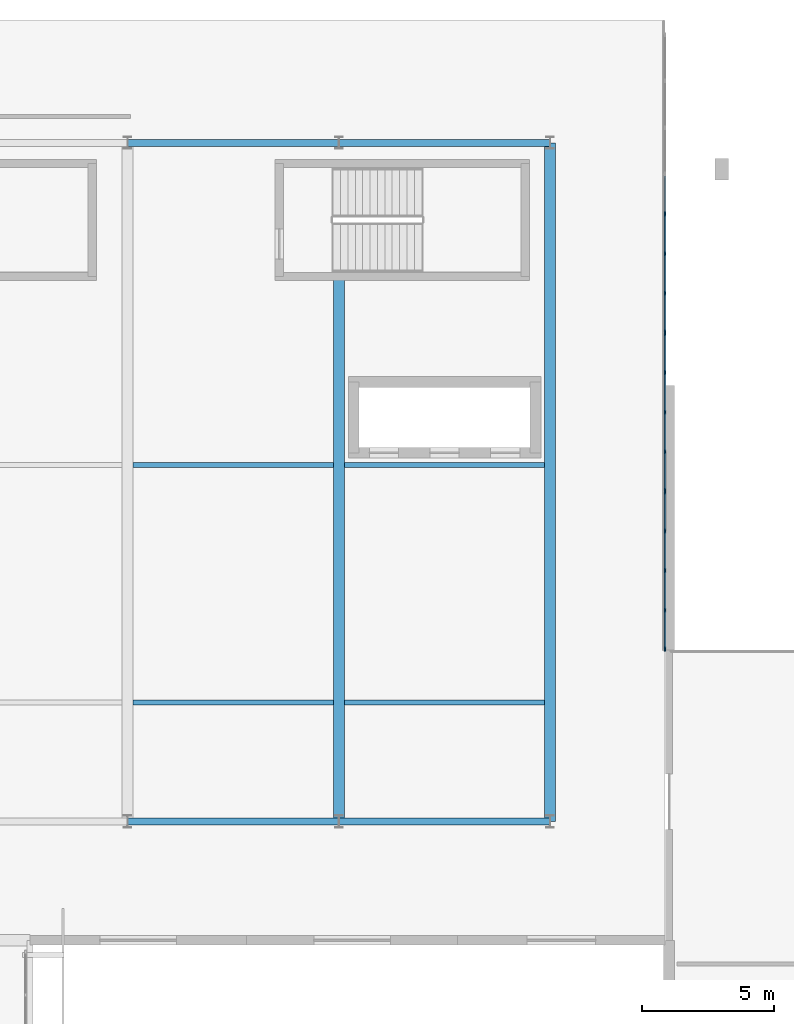
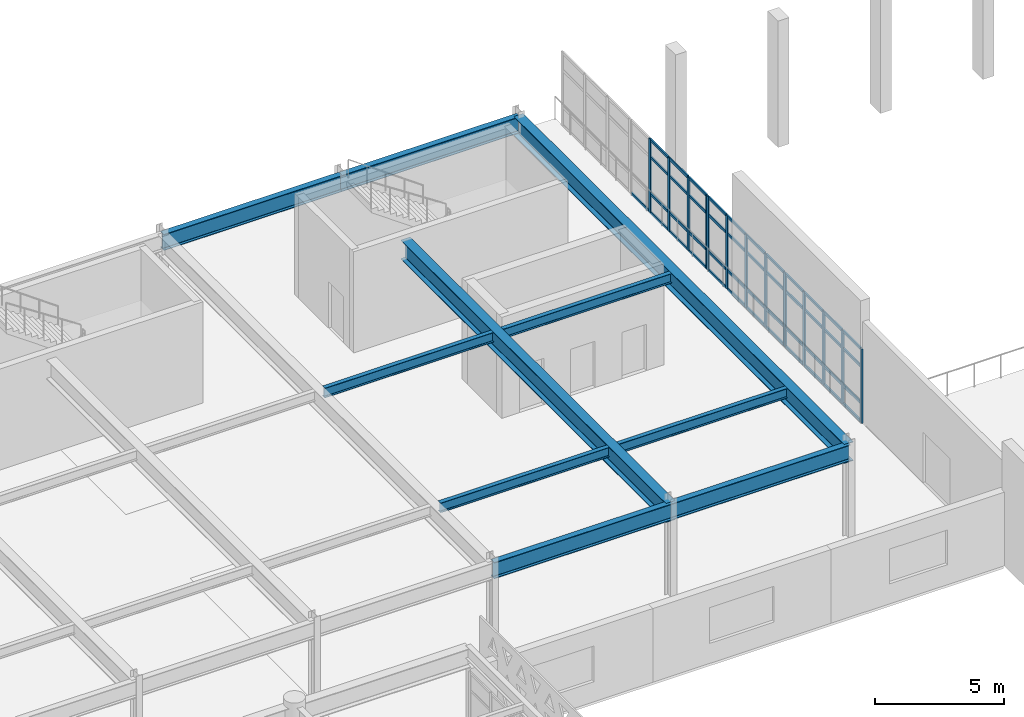
# One storey, part 25 of 54: 59 members, 10 beams, 3 elements without a shape of their own.
"""IFC4 building model written with IfcOpenShell, lengths in metres."""

from ifc_helpers import new_model, si_unit, direction, frame, origin, origin_2d, place, context, subcontext, project, spatial, rectangle, i_section, extrude, material, layer, layer_set, material_profile, profile_set, type_object, element, aggregate, save


model = new_model("IFC4")

# Units and contexts
model_context = context("Model", 3, precision=1e-05, world=origin(), true_north=direction((0.0, 1.0)))
body_context = subcontext(model_context, "Body", "Model", "MODEL_VIEW")
ifc_project = project(units=[si_unit("LENGTHUNIT", "METRE"), si_unit("AREAUNIT", "SQUARE_METRE"), si_unit("VOLUMEUNIT", "CUBIC_METRE"), si_unit("PLANEANGLEUNIT", "RADIAN"), si_unit("MASSUNIT", "GRAM", prefix="KILO")], contexts=[model_context])

# Site, building, storey
site_placement = place(None, origin())
site = spatial("IfcSite", under=ifc_project, at=site_placement, CompositionType="ELEMENT")
building_placement = place(site_placement, origin())
building = spatial("IfcBuilding", under=site, at=building_placement, Name="Tlacozan Convention Centre", CompositionType="ELEMENT")
storey_placement = place(building_placement, frame((0.0, 0.0, 11.39990234375)))
storey = spatial("IfcBuildingStorey", under=building, at=storey_placement, Name="L02", CompositionType="ELEMENT", Elevation=11.39990234375)

# Beams
ifc_material_1 = material(Name="Steel ASTM A992 Grade 50", Category="steel")
ifc_material_profile_1 = material_profile(ifc_material_1, i_section(OverallWidth=0.41796875, OverallDepth=0.912109375, WebThickness=0.019287109375, FlangeThickness=0.031982421875, FilletRadius=0.02001953125, at=origin_2d()), Name="IR 914x342.0")
ifc_profile_set_1 = profile_set([ifc_material_profile_1], Name="Steel ASTM A992 Grade 50")
beam_type_1 = type_object("IfcBeamType", Name="Ballroom Span Girder IR 914x342", PredefinedType="BEAM", material=ifc_profile_set_1)
beam_1_placement = place(storey_placement, frame((131.5, 31.5, 4.044189453125), z_axis=(0.0, 1.0, 0.0), x_axis=(-1.0, 0.0, 0.0)))
element("IfcBeam", 1, at=beam_1_placement, inside=storey, type_object=beam_type_1, Name="L02 Ballroom Span Girder IR 914x342 1475", PredefinedType="BEAM", context=body_context, shape_type="SweptSolid", body=[
    extrude(i_section(OverallWidth=0.41796875, OverallDepth=0.912109375, WebThickness=0.019287109375, FlangeThickness=0.031982421875, FilletRadius=0.02001953125, at=origin_2d()), origin(), (0.0, 0.0, 1.0), 20.639892578125),
])
beam_2_placement = place(storey_placement, frame((139.5, 31.5, 4.044189453125), z_axis=(0.0, 1.0, 0.0), x_axis=(-1.0, 0.0, 0.0)))
element("IfcBeam", 2, at=beam_2_placement, inside=storey, type_object=beam_type_1, Name="L02 Ballroom Span Girder IR 914x342 1476", PredefinedType="BEAM", context=body_context, shape_type="SweptSolid", body=[
    extrude(i_section(OverallWidth=0.41796875, OverallDepth=0.912109375, WebThickness=0.019287109375, FlangeThickness=0.031982421875, FilletRadius=0.02001953125, at=origin_2d()), origin(), (0.0, 0.0, 1.0), 25.699951171875),
])

# Curtain wall, members
ifc_material_2 = material(Name="Dark Bronze Anodised Aluminium", Category="aluminium")
ifc_layer = layer(ifc_material_2, 0.199951171875)
ifc_layer_set = layer_set([ifc_layer], Name="Dark Bronze Anodised Aluminium")
curtain_wall_type = type_object("IfcCurtainWallType", Name="Unitised Dining Cloister L02 CW09", PredefinedType="NOTDEFINED", material=ifc_layer_set)
curtain_wall_1_placement = place(storey_placement, origin())
curtain_wall_1 = element("IfcCurtainWall", 3, at=curtain_wall_1_placement, inside=storey, type_object=curtain_wall_type, Name="L02 CW-09 Run 168", PredefinedType="NOTDEFINED")
ifc_material_profile_2 = material_profile(ifc_material_2, rectangle(XDim=0.06494140625, YDim=0.159912109375, at=origin_2d()), Name="ALU 65x160")
ifc_profile_set_2 = profile_set([ifc_material_profile_2], Name="Dark Bronze Anodised Aluminium")
member_type_1 = type_object("IfcMemberType", Name="Curtain Wall Mullion 65x160", PredefinedType="MULLION", material=ifc_profile_set_2)
member_1_placement = place(storey_placement, frame((143.85009765625, 38.032470703125, 0.0), z_axis=(0.0, 0.0, 1.0), x_axis=(-1.0, 0.0, 0.0)))
member_1 = element("IfcMember", 4, at=member_1_placement, type_object=member_type_1, Name="CW-09 mullion 1", PredefinedType="MULLION", context=body_context, shape_type="SweptSolid", body=[
    extrude(rectangle(XDim=0.06494140625, YDim=0.159912109375, at=origin_2d()), origin(), (0.0, 0.0, 1.0), 3.5),
])
member_2_placement = place(storey_placement, frame((143.85009765625, 39.5, 0.0), z_axis=(0.0, 0.0, 1.0), x_axis=(-1.0, 0.0, 0.0)))
member_2 = element("IfcMember", 5, at=member_2_placement, type_object=member_type_1, Name="CW-09 mullion 2", PredefinedType="MULLION", context=body_context, shape_type="SweptSolid", body=[
    extrude(rectangle(XDim=0.06494140625, YDim=0.159912109375, at=origin_2d()), origin(), (0.0, 0.0, 1.0), 3.5),
])
member_3_placement = place(storey_placement, frame((143.85009765625, 41.0, 0.0), z_axis=(0.0, 0.0, 1.0), x_axis=(-1.0, 0.0, 0.0)))
member_3 = element("IfcMember", 6, at=member_3_placement, type_object=member_type_1, Name="CW-09 mullion 3", PredefinedType="MULLION", context=body_context, shape_type="SweptSolid", body=[
    extrude(rectangle(XDim=0.06494140625, YDim=0.159912109375, at=origin_2d()), origin(), (0.0, 0.0, 1.0), 3.5),
])
member_4_placement = place(storey_placement, frame((143.85009765625, 42.5, 0.0), z_axis=(0.0, 0.0, 1.0), x_axis=(-1.0, 0.0, 0.0)))
member_4 = element("IfcMember", 7, at=member_4_placement, type_object=member_type_1, Name="CW-09 mullion 4", PredefinedType="MULLION", context=body_context, shape_type="SweptSolid", body=[
    extrude(rectangle(XDim=0.06494140625, YDim=0.159912109375, at=origin_2d()), origin(), (0.0, 0.0, 1.0), 3.5),
])
member_5_placement = place(storey_placement, frame((143.85009765625, 43.967529296875, 0.0), z_axis=(0.0, 0.0, 1.0), x_axis=(-1.0, 0.0, 0.0)))
member_5 = element("IfcMember", 8, at=member_5_placement, type_object=member_type_1, Name="CW-09 mullion 5", PredefinedType="MULLION", context=body_context, shape_type="SweptSolid", body=[
    extrude(rectangle(XDim=0.06494140625, YDim=0.159912109375, at=origin_2d()), origin(), (0.0, 0.0, 1.0), 3.5),
])

curtain_wall_2_placement = place(storey_placement, origin())
curtain_wall_2 = element("IfcCurtainWall", 9, at=curtain_wall_2_placement, inside=storey, type_object=curtain_wall_type, Name="L02 CW-09 Run 169", PredefinedType="NOTDEFINED")
member_6_placement = place(storey_placement, frame((143.85009765625, 44.032470703125, 0.0), z_axis=(0.0, 0.0, 1.0), x_axis=(-1.0, 0.0, 0.0)))
member_6 = element("IfcMember", 10, at=member_6_placement, type_object=member_type_1, Name="CW-09 mullion 1", PredefinedType="MULLION", context=body_context, shape_type="SweptSolid", body=[
    extrude(rectangle(XDim=0.06494140625, YDim=0.159912109375, at=origin_2d()), origin(), (0.0, 0.0, 1.0), 3.5),
])
member_7_placement = place(storey_placement, frame((143.85009765625, 45.5, 0.0), z_axis=(0.0, 0.0, 1.0), x_axis=(-1.0, 0.0, 0.0)))
member_7 = element("IfcMember", 11, at=member_7_placement, type_object=member_type_1, Name="CW-09 mullion 2", PredefinedType="MULLION", context=body_context, shape_type="SweptSolid", body=[
    extrude(rectangle(XDim=0.06494140625, YDim=0.159912109375, at=origin_2d()), origin(), (0.0, 0.0, 1.0), 3.5),
])
member_8_placement = place(storey_placement, frame((143.85009765625, 47.0, 0.0), z_axis=(0.0, 0.0, 1.0), x_axis=(-1.0, 0.0, 0.0)))
member_8 = element("IfcMember", 12, at=member_8_placement, type_object=member_type_1, Name="CW-09 mullion 3", PredefinedType="MULLION", context=body_context, shape_type="SweptSolid", body=[
    extrude(rectangle(XDim=0.06494140625, YDim=0.159912109375, at=origin_2d()), origin(), (0.0, 0.0, 1.0), 3.5),
])
member_9_placement = place(storey_placement, frame((143.85009765625, 48.5, 0.0), z_axis=(0.0, 0.0, 1.0), x_axis=(-1.0, 0.0, 0.0)))
member_9 = element("IfcMember", 13, at=member_9_placement, type_object=member_type_1, Name="CW-09 mullion 4", PredefinedType="MULLION", context=body_context, shape_type="SweptSolid", body=[
    extrude(rectangle(XDim=0.06494140625, YDim=0.159912109375, at=origin_2d()), origin(), (0.0, 0.0, 1.0), 3.5),
])
member_10_placement = place(storey_placement, frame((143.85009765625, 49.967529296875, 0.0), z_axis=(0.0, 0.0, 1.0), x_axis=(-1.0, 0.0, 0.0)))
member_10 = element("IfcMember", 14, at=member_10_placement, type_object=member_type_1, Name="CW-09 mullion 5", PredefinedType="MULLION", context=body_context, shape_type="SweptSolid", body=[
    extrude(rectangle(XDim=0.06494140625, YDim=0.159912109375, at=origin_2d()), origin(), (0.0, 0.0, 1.0), 3.5),
])

curtain_wall_3_placement = place(storey_placement, origin())
curtain_wall_3 = element("IfcCurtainWall", 15, at=curtain_wall_3_placement, inside=storey, type_object=curtain_wall_type, Name="L02 CW-09 Run 170", PredefinedType="NOTDEFINED")
member_11_placement = place(storey_placement, frame((143.85009765625, 50.032470703125, 0.0), z_axis=(0.0, 0.0, 1.0), x_axis=(-1.0, 0.0, 0.0)))
member_11 = element("IfcMember", 16, at=member_11_placement, type_object=member_type_1, Name="CW-09 mullion 1", PredefinedType="MULLION", context=body_context, shape_type="SweptSolid", body=[
    extrude(rectangle(XDim=0.06494140625, YDim=0.159912109375, at=origin_2d()), origin(), (0.0, 0.0, 1.0), 3.5),
])
member_12_placement = place(storey_placement, frame((143.85009765625, 51.5, 0.0), z_axis=(0.0, 0.0, 1.0), x_axis=(-1.0, 0.0, 0.0)))
member_12 = element("IfcMember", 17, at=member_12_placement, type_object=member_type_1, Name="CW-09 mullion 2", PredefinedType="MULLION", context=body_context, shape_type="SweptSolid", body=[
    extrude(rectangle(XDim=0.06494140625, YDim=0.159912109375, at=origin_2d()), origin(), (0.0, 0.0, 1.0), 3.5),
])
member_13_placement = place(storey_placement, frame((143.85009765625, 53.0, 0.0), z_axis=(0.0, 0.0, 1.0), x_axis=(-1.0, 0.0, 0.0)))
member_13 = element("IfcMember", 18, at=member_13_placement, type_object=member_type_1, Name="CW-09 mullion 3", PredefinedType="MULLION", context=body_context, shape_type="SweptSolid", body=[
    extrude(rectangle(XDim=0.06494140625, YDim=0.159912109375, at=origin_2d()), origin(), (0.0, 0.0, 1.0), 3.5),
])
member_14_placement = place(storey_placement, frame((143.85009765625, 54.5, 0.0), z_axis=(0.0, 0.0, 1.0), x_axis=(-1.0, 0.0, 0.0)))
member_14 = element("IfcMember", 19, at=member_14_placement, type_object=member_type_1, Name="CW-09 mullion 4", PredefinedType="MULLION", context=body_context, shape_type="SweptSolid", body=[
    extrude(rectangle(XDim=0.06494140625, YDim=0.159912109375, at=origin_2d()), origin(), (0.0, 0.0, 1.0), 3.5),
])

# Member
ifc_material_profile_3 = material_profile(ifc_material_2, rectangle(XDim=0.06494140625, YDim=0.125, at=origin_2d()), Name="ALU 65x125")
ifc_profile_set_3 = profile_set([ifc_material_profile_3], Name="Dark Bronze Anodised Aluminium")
member_type_2 = type_object("IfcMemberType", Name="Curtain Wall Transom 65x125", PredefinedType="USERDEFINED", material=ifc_profile_set_3)
member_15_placement = place(storey_placement, frame((143.85009765625, 38.06494140625, 0.03271484375), z_axis=(0.0, 1.0, 0.0), x_axis=(-1.0, 0.0, 0.0)))
member_15 = element("IfcMember", 20, at=member_15_placement, type_object=member_type_2, Name="CW-09 transom 1.1", ObjectType="TRANSOM", PredefinedType="USERDEFINED", context=body_context, shape_type="SweptSolid", body=[
    extrude(rectangle(XDim=0.06494140625, YDim=0.125, at=origin_2d()), origin(), (0.0, 0.0, 1.0), 1.402587890625),
])

member_16_placement = place(storey_placement, frame((143.85009765625, 38.06494140625, 0.900146484375), z_axis=(0.0, 1.0, 0.0), x_axis=(-1.0, 0.0, 0.0)))
member_16 = element("IfcMember", 21, at=member_16_placement, type_object=member_type_2, Name="CW-09 transom 1.2", ObjectType="TRANSOM", PredefinedType="USERDEFINED", context=body_context, shape_type="SweptSolid", body=[
    extrude(rectangle(XDim=0.06494140625, YDim=0.125, at=origin_2d()), origin(), (0.0, 0.0, 1.0), 1.402587890625),
])

member_17_placement = place(storey_placement, frame((143.85009765625, 38.06494140625, 2.650146484375), z_axis=(0.0, 1.0, 0.0), x_axis=(-1.0, 0.0, 0.0)))
member_17 = element("IfcMember", 22, at=member_17_placement, type_object=member_type_2, Name="CW-09 transom 1.3", ObjectType="TRANSOM", PredefinedType="USERDEFINED", context=body_context, shape_type="SweptSolid", body=[
    extrude(rectangle(XDim=0.06494140625, YDim=0.125, at=origin_2d()), origin(), (0.0, 0.0, 1.0), 1.402587890625),
])

member_18_placement = place(storey_placement, frame((143.85009765625, 38.06494140625, 3.467529296875), z_axis=(0.0, 1.0, 0.0), x_axis=(-1.0, 0.0, 0.0)))
member_18 = element("IfcMember", 23, at=member_18_placement, type_object=member_type_2, Name="CW-09 transom 1.4", ObjectType="TRANSOM", PredefinedType="USERDEFINED", context=body_context, shape_type="SweptSolid", body=[
    extrude(rectangle(XDim=0.06494140625, YDim=0.125, at=origin_2d()), origin(), (0.0, 0.0, 1.0), 1.402587890625),
])

member_19_placement = place(storey_placement, frame((143.85009765625, 39.532470703125, 0.03271484375), z_axis=(0.0, 1.0, 0.0), x_axis=(-1.0, 0.0, 0.0)))
member_19 = element("IfcMember", 24, at=member_19_placement, type_object=member_type_2, Name="CW-09 transom 2.1", ObjectType="TRANSOM", PredefinedType="USERDEFINED", context=body_context, shape_type="SweptSolid", body=[
    extrude(rectangle(XDim=0.06494140625, YDim=0.125, at=origin_2d()), origin(), (0.0, 0.0, 1.0), 1.43505859375),
])

member_20_placement = place(storey_placement, frame((143.85009765625, 39.532470703125, 0.900146484375), z_axis=(0.0, 1.0, 0.0), x_axis=(-1.0, 0.0, 0.0)))
member_20 = element("IfcMember", 25, at=member_20_placement, type_object=member_type_2, Name="CW-09 transom 2.2", ObjectType="TRANSOM", PredefinedType="USERDEFINED", context=body_context, shape_type="SweptSolid", body=[
    extrude(rectangle(XDim=0.06494140625, YDim=0.125, at=origin_2d()), origin(), (0.0, 0.0, 1.0), 1.43505859375),
])

member_21_placement = place(storey_placement, frame((143.85009765625, 39.532470703125, 2.650146484375), z_axis=(0.0, 1.0, 0.0), x_axis=(-1.0, 0.0, 0.0)))
member_21 = element("IfcMember", 26, at=member_21_placement, type_object=member_type_2, Name="CW-09 transom 2.3", ObjectType="TRANSOM", PredefinedType="USERDEFINED", context=body_context, shape_type="SweptSolid", body=[
    extrude(rectangle(XDim=0.06494140625, YDim=0.125, at=origin_2d()), origin(), (0.0, 0.0, 1.0), 1.43505859375),
])

member_22_placement = place(storey_placement, frame((143.85009765625, 39.532470703125, 3.467529296875), z_axis=(0.0, 1.0, 0.0), x_axis=(-1.0, 0.0, 0.0)))
member_22 = element("IfcMember", 27, at=member_22_placement, type_object=member_type_2, Name="CW-09 transom 2.4", ObjectType="TRANSOM", PredefinedType="USERDEFINED", context=body_context, shape_type="SweptSolid", body=[
    extrude(rectangle(XDim=0.06494140625, YDim=0.125, at=origin_2d()), origin(), (0.0, 0.0, 1.0), 1.43505859375),
])

member_23_placement = place(storey_placement, frame((143.85009765625, 41.032470703125, 0.03271484375), z_axis=(0.0, 1.0, 0.0), x_axis=(-1.0, 0.0, 0.0)))
member_23 = element("IfcMember", 28, at=member_23_placement, type_object=member_type_2, Name="CW-09 transom 3.1", ObjectType="TRANSOM", PredefinedType="USERDEFINED", context=body_context, shape_type="SweptSolid", body=[
    extrude(rectangle(XDim=0.06494140625, YDim=0.125, at=origin_2d()), origin(), (0.0, 0.0, 1.0), 1.43505859375),
])

member_24_placement = place(storey_placement, frame((143.85009765625, 41.032470703125, 0.900146484375), z_axis=(0.0, 1.0, 0.0), x_axis=(-1.0, 0.0, 0.0)))
member_24 = element("IfcMember", 29, at=member_24_placement, type_object=member_type_2, Name="CW-09 transom 3.2", ObjectType="TRANSOM", PredefinedType="USERDEFINED", context=body_context, shape_type="SweptSolid", body=[
    extrude(rectangle(XDim=0.06494140625, YDim=0.125, at=origin_2d()), origin(), (0.0, 0.0, 1.0), 1.43505859375),
])

member_25_placement = place(storey_placement, frame((143.85009765625, 41.032470703125, 2.650146484375), z_axis=(0.0, 1.0, 0.0), x_axis=(-1.0, 0.0, 0.0)))
member_25 = element("IfcMember", 30, at=member_25_placement, type_object=member_type_2, Name="CW-09 transom 3.3", ObjectType="TRANSOM", PredefinedType="USERDEFINED", context=body_context, shape_type="SweptSolid", body=[
    extrude(rectangle(XDim=0.06494140625, YDim=0.125, at=origin_2d()), origin(), (0.0, 0.0, 1.0), 1.43505859375),
])

member_26_placement = place(storey_placement, frame((143.85009765625, 41.032470703125, 3.467529296875), z_axis=(0.0, 1.0, 0.0), x_axis=(-1.0, 0.0, 0.0)))
member_26 = element("IfcMember", 31, at=member_26_placement, type_object=member_type_2, Name="CW-09 transom 3.4", ObjectType="TRANSOM", PredefinedType="USERDEFINED", context=body_context, shape_type="SweptSolid", body=[
    extrude(rectangle(XDim=0.06494140625, YDim=0.125, at=origin_2d()), origin(), (0.0, 0.0, 1.0), 1.43505859375),
])

member_27_placement = place(storey_placement, frame((143.85009765625, 42.532470703125, 0.03271484375), z_axis=(0.0, 1.0, 0.0), x_axis=(-1.0, 0.0, 0.0)))
member_27 = element("IfcMember", 32, at=member_27_placement, type_object=member_type_2, Name="CW-09 transom 4.1", ObjectType="TRANSOM", PredefinedType="USERDEFINED", context=body_context, shape_type="SweptSolid", body=[
    extrude(rectangle(XDim=0.06494140625, YDim=0.125, at=origin_2d()), origin(), (0.0, 0.0, 1.0), 1.402587890625),
])

member_28_placement = place(storey_placement, frame((143.85009765625, 42.532470703125, 0.900146484375), z_axis=(0.0, 1.0, 0.0), x_axis=(-1.0, 0.0, 0.0)))
member_28 = element("IfcMember", 33, at=member_28_placement, type_object=member_type_2, Name="CW-09 transom 4.2", ObjectType="TRANSOM", PredefinedType="USERDEFINED", context=body_context, shape_type="SweptSolid", body=[
    extrude(rectangle(XDim=0.06494140625, YDim=0.125, at=origin_2d()), origin(), (0.0, 0.0, 1.0), 1.402587890625),
])

member_29_placement = place(storey_placement, frame((143.85009765625, 42.532470703125, 2.650146484375), z_axis=(0.0, 1.0, 0.0), x_axis=(-1.0, 0.0, 0.0)))
member_29 = element("IfcMember", 34, at=member_29_placement, type_object=member_type_2, Name="CW-09 transom 4.3", ObjectType="TRANSOM", PredefinedType="USERDEFINED", context=body_context, shape_type="SweptSolid", body=[
    extrude(rectangle(XDim=0.06494140625, YDim=0.125, at=origin_2d()), origin(), (0.0, 0.0, 1.0), 1.402587890625),
])

member_30_placement = place(storey_placement, frame((143.85009765625, 42.532470703125, 3.467529296875), z_axis=(0.0, 1.0, 0.0), x_axis=(-1.0, 0.0, 0.0)))
member_30 = element("IfcMember", 35, at=member_30_placement, type_object=member_type_2, Name="CW-09 transom 4.4", ObjectType="TRANSOM", PredefinedType="USERDEFINED", context=body_context, shape_type="SweptSolid", body=[
    extrude(rectangle(XDim=0.06494140625, YDim=0.125, at=origin_2d()), origin(), (0.0, 0.0, 1.0), 1.402587890625),
])

aggregate(curtain_wall_1, [member_1, member_2, member_3, member_4, member_5, member_15, member_16, member_17, member_18, member_19, member_20, member_21, member_22, member_23, member_24, member_25, member_26, member_27, member_28, member_29, member_30])

member_31_placement = place(storey_placement, frame((143.85009765625, 44.06494140625, 0.03271484375), z_axis=(0.0, 1.0, 0.0), x_axis=(-1.0, 0.0, 0.0)))
member_31 = element("IfcMember", 36, at=member_31_placement, type_object=member_type_2, Name="CW-09 transom 1.1", ObjectType="TRANSOM", PredefinedType="USERDEFINED", context=body_context, shape_type="SweptSolid", body=[
    extrude(rectangle(XDim=0.06494140625, YDim=0.125, at=origin_2d()), origin(), (0.0, 0.0, 1.0), 1.402587890625),
])

member_32_placement = place(storey_placement, frame((143.85009765625, 44.06494140625, 0.900146484375), z_axis=(0.0, 1.0, 0.0), x_axis=(-1.0, 0.0, 0.0)))
member_32 = element("IfcMember", 37, at=member_32_placement, type_object=member_type_2, Name="CW-09 transom 1.2", ObjectType="TRANSOM", PredefinedType="USERDEFINED", context=body_context, shape_type="SweptSolid", body=[
    extrude(rectangle(XDim=0.06494140625, YDim=0.125, at=origin_2d()), origin(), (0.0, 0.0, 1.0), 1.402587890625),
])

member_33_placement = place(storey_placement, frame((143.85009765625, 44.06494140625, 2.650146484375), z_axis=(0.0, 1.0, 0.0), x_axis=(-1.0, 0.0, 0.0)))
member_33 = element("IfcMember", 38, at=member_33_placement, type_object=member_type_2, Name="CW-09 transom 1.3", ObjectType="TRANSOM", PredefinedType="USERDEFINED", context=body_context, shape_type="SweptSolid", body=[
    extrude(rectangle(XDim=0.06494140625, YDim=0.125, at=origin_2d()), origin(), (0.0, 0.0, 1.0), 1.402587890625),
])

member_34_placement = place(storey_placement, frame((143.85009765625, 44.06494140625, 3.467529296875), z_axis=(0.0, 1.0, 0.0), x_axis=(-1.0, 0.0, 0.0)))
member_34 = element("IfcMember", 39, at=member_34_placement, type_object=member_type_2, Name="CW-09 transom 1.4", ObjectType="TRANSOM", PredefinedType="USERDEFINED", context=body_context, shape_type="SweptSolid", body=[
    extrude(rectangle(XDim=0.06494140625, YDim=0.125, at=origin_2d()), origin(), (0.0, 0.0, 1.0), 1.402587890625),
])

member_35_placement = place(storey_placement, frame((143.85009765625, 45.532470703125, 0.03271484375), z_axis=(0.0, 1.0, 0.0), x_axis=(-1.0, 0.0, 0.0)))
member_35 = element("IfcMember", 40, at=member_35_placement, type_object=member_type_2, Name="CW-09 transom 2.1", ObjectType="TRANSOM", PredefinedType="USERDEFINED", context=body_context, shape_type="SweptSolid", body=[
    extrude(rectangle(XDim=0.06494140625, YDim=0.125, at=origin_2d()), origin(), (0.0, 0.0, 1.0), 1.43505859375),
])

member_36_placement = place(storey_placement, frame((143.85009765625, 45.532470703125, 0.900146484375), z_axis=(0.0, 1.0, 0.0), x_axis=(-1.0, 0.0, 0.0)))
member_36 = element("IfcMember", 41, at=member_36_placement, type_object=member_type_2, Name="CW-09 transom 2.2", ObjectType="TRANSOM", PredefinedType="USERDEFINED", context=body_context, shape_type="SweptSolid", body=[
    extrude(rectangle(XDim=0.06494140625, YDim=0.125, at=origin_2d()), origin(), (0.0, 0.0, 1.0), 1.43505859375),
])

member_37_placement = place(storey_placement, frame((143.85009765625, 45.532470703125, 2.650146484375), z_axis=(0.0, 1.0, 0.0), x_axis=(-1.0, 0.0, 0.0)))
member_37 = element("IfcMember", 42, at=member_37_placement, type_object=member_type_2, Name="CW-09 transom 2.3", ObjectType="TRANSOM", PredefinedType="USERDEFINED", context=body_context, shape_type="SweptSolid", body=[
    extrude(rectangle(XDim=0.06494140625, YDim=0.125, at=origin_2d()), origin(), (0.0, 0.0, 1.0), 1.43505859375),
])

member_38_placement = place(storey_placement, frame((143.85009765625, 45.532470703125, 3.467529296875), z_axis=(0.0, 1.0, 0.0), x_axis=(-1.0, 0.0, 0.0)))
member_38 = element("IfcMember", 43, at=member_38_placement, type_object=member_type_2, Name="CW-09 transom 2.4", ObjectType="TRANSOM", PredefinedType="USERDEFINED", context=body_context, shape_type="SweptSolid", body=[
    extrude(rectangle(XDim=0.06494140625, YDim=0.125, at=origin_2d()), origin(), (0.0, 0.0, 1.0), 1.43505859375),
])

member_39_placement = place(storey_placement, frame((143.85009765625, 47.032470703125, 0.03271484375), z_axis=(0.0, 1.0, 0.0), x_axis=(-1.0, 0.0, 0.0)))
member_39 = element("IfcMember", 44, at=member_39_placement, type_object=member_type_2, Name="CW-09 transom 3.1", ObjectType="TRANSOM", PredefinedType="USERDEFINED", context=body_context, shape_type="SweptSolid", body=[
    extrude(rectangle(XDim=0.06494140625, YDim=0.125, at=origin_2d()), origin(), (0.0, 0.0, 1.0), 1.43505859375),
])

member_40_placement = place(storey_placement, frame((143.85009765625, 47.032470703125, 0.900146484375), z_axis=(0.0, 1.0, 0.0), x_axis=(-1.0, 0.0, 0.0)))
member_40 = element("IfcMember", 45, at=member_40_placement, type_object=member_type_2, Name="CW-09 transom 3.2", ObjectType="TRANSOM", PredefinedType="USERDEFINED", context=body_context, shape_type="SweptSolid", body=[
    extrude(rectangle(XDim=0.06494140625, YDim=0.125, at=origin_2d()), origin(), (0.0, 0.0, 1.0), 1.43505859375),
])

member_41_placement = place(storey_placement, frame((143.85009765625, 47.032470703125, 2.650146484375), z_axis=(0.0, 1.0, 0.0), x_axis=(-1.0, 0.0, 0.0)))
member_41 = element("IfcMember", 46, at=member_41_placement, type_object=member_type_2, Name="CW-09 transom 3.3", ObjectType="TRANSOM", PredefinedType="USERDEFINED", context=body_context, shape_type="SweptSolid", body=[
    extrude(rectangle(XDim=0.06494140625, YDim=0.125, at=origin_2d()), origin(), (0.0, 0.0, 1.0), 1.43505859375),
])

member_42_placement = place(storey_placement, frame((143.85009765625, 47.032470703125, 3.467529296875), z_axis=(0.0, 1.0, 0.0), x_axis=(-1.0, 0.0, 0.0)))
member_42 = element("IfcMember", 47, at=member_42_placement, type_object=member_type_2, Name="CW-09 transom 3.4", ObjectType="TRANSOM", PredefinedType="USERDEFINED", context=body_context, shape_type="SweptSolid", body=[
    extrude(rectangle(XDim=0.06494140625, YDim=0.125, at=origin_2d()), origin(), (0.0, 0.0, 1.0), 1.43505859375),
])

member_43_placement = place(storey_placement, frame((143.85009765625, 48.532470703125, 0.03271484375), z_axis=(0.0, 1.0, 0.0), x_axis=(-1.0, 0.0, 0.0)))
member_43 = element("IfcMember", 48, at=member_43_placement, type_object=member_type_2, Name="CW-09 transom 4.1", ObjectType="TRANSOM", PredefinedType="USERDEFINED", context=body_context, shape_type="SweptSolid", body=[
    extrude(rectangle(XDim=0.06494140625, YDim=0.125, at=origin_2d()), origin(), (0.0, 0.0, 1.0), 1.402587890625),
])

member_44_placement = place(storey_placement, frame((143.85009765625, 48.532470703125, 0.900146484375), z_axis=(0.0, 1.0, 0.0), x_axis=(-1.0, 0.0, 0.0)))
member_44 = element("IfcMember", 49, at=member_44_placement, type_object=member_type_2, Name="CW-09 transom 4.2", ObjectType="TRANSOM", PredefinedType="USERDEFINED", context=body_context, shape_type="SweptSolid", body=[
    extrude(rectangle(XDim=0.06494140625, YDim=0.125, at=origin_2d()), origin(), (0.0, 0.0, 1.0), 1.402587890625),
])

member_45_placement = place(storey_placement, frame((143.85009765625, 48.532470703125, 2.650146484375), z_axis=(0.0, 1.0, 0.0), x_axis=(-1.0, 0.0, 0.0)))
member_45 = element("IfcMember", 50, at=member_45_placement, type_object=member_type_2, Name="CW-09 transom 4.3", ObjectType="TRANSOM", PredefinedType="USERDEFINED", context=body_context, shape_type="SweptSolid", body=[
    extrude(rectangle(XDim=0.06494140625, YDim=0.125, at=origin_2d()), origin(), (0.0, 0.0, 1.0), 1.402587890625),
])

member_46_placement = place(storey_placement, frame((143.85009765625, 48.532470703125, 3.467529296875), z_axis=(0.0, 1.0, 0.0), x_axis=(-1.0, 0.0, 0.0)))
member_46 = element("IfcMember", 51, at=member_46_placement, type_object=member_type_2, Name="CW-09 transom 4.4", ObjectType="TRANSOM", PredefinedType="USERDEFINED", context=body_context, shape_type="SweptSolid", body=[
    extrude(rectangle(XDim=0.06494140625, YDim=0.125, at=origin_2d()), origin(), (0.0, 0.0, 1.0), 1.402587890625),
])

aggregate(curtain_wall_2, [member_6, member_7, member_8, member_9, member_10, member_31, member_32, member_33, member_34, member_35, member_36, member_37, member_38, member_39, member_40, member_41, member_42, member_43, member_44, member_45, member_46])

member_47_placement = place(storey_placement, frame((143.85009765625, 50.06494140625, 0.03271484375), z_axis=(0.0, 1.0, 0.0), x_axis=(-1.0, 0.0, 0.0)))
member_47 = element("IfcMember", 52, at=member_47_placement, type_object=member_type_2, Name="CW-09 transom 1.1", ObjectType="TRANSOM", PredefinedType="USERDEFINED", context=body_context, shape_type="SweptSolid", body=[
    extrude(rectangle(XDim=0.06494140625, YDim=0.125, at=origin_2d()), origin(), (0.0, 0.0, 1.0), 1.402587890625),
])

member_48_placement = place(storey_placement, frame((143.85009765625, 50.06494140625, 0.900146484375), z_axis=(0.0, 1.0, 0.0), x_axis=(-1.0, 0.0, 0.0)))
member_48 = element("IfcMember", 53, at=member_48_placement, type_object=member_type_2, Name="CW-09 transom 1.2", ObjectType="TRANSOM", PredefinedType="USERDEFINED", context=body_context, shape_type="SweptSolid", body=[
    extrude(rectangle(XDim=0.06494140625, YDim=0.125, at=origin_2d()), origin(), (0.0, 0.0, 1.0), 1.402587890625),
])

member_49_placement = place(storey_placement, frame((143.85009765625, 50.06494140625, 2.650146484375), z_axis=(0.0, 1.0, 0.0), x_axis=(-1.0, 0.0, 0.0)))
member_49 = element("IfcMember", 54, at=member_49_placement, type_object=member_type_2, Name="CW-09 transom 1.3", ObjectType="TRANSOM", PredefinedType="USERDEFINED", context=body_context, shape_type="SweptSolid", body=[
    extrude(rectangle(XDim=0.06494140625, YDim=0.125, at=origin_2d()), origin(), (0.0, 0.0, 1.0), 1.402587890625),
])

member_50_placement = place(storey_placement, frame((143.85009765625, 50.06494140625, 3.467529296875), z_axis=(0.0, 1.0, 0.0), x_axis=(-1.0, 0.0, 0.0)))
member_50 = element("IfcMember", 55, at=member_50_placement, type_object=member_type_2, Name="CW-09 transom 1.4", ObjectType="TRANSOM", PredefinedType="USERDEFINED", context=body_context, shape_type="SweptSolid", body=[
    extrude(rectangle(XDim=0.06494140625, YDim=0.125, at=origin_2d()), origin(), (0.0, 0.0, 1.0), 1.402587890625),
])

member_51_placement = place(storey_placement, frame((143.85009765625, 51.532470703125, 0.03271484375), z_axis=(0.0, 1.0, 0.0), x_axis=(-1.0, 0.0, 0.0)))
member_51 = element("IfcMember", 56, at=member_51_placement, type_object=member_type_2, Name="CW-09 transom 2.1", ObjectType="TRANSOM", PredefinedType="USERDEFINED", context=body_context, shape_type="SweptSolid", body=[
    extrude(rectangle(XDim=0.06494140625, YDim=0.125, at=origin_2d()), origin(), (0.0, 0.0, 1.0), 1.43505859375),
])

member_52_placement = place(storey_placement, frame((143.85009765625, 51.532470703125, 0.900146484375), z_axis=(0.0, 1.0, 0.0), x_axis=(-1.0, 0.0, 0.0)))
member_52 = element("IfcMember", 57, at=member_52_placement, type_object=member_type_2, Name="CW-09 transom 2.2", ObjectType="TRANSOM", PredefinedType="USERDEFINED", context=body_context, shape_type="SweptSolid", body=[
    extrude(rectangle(XDim=0.06494140625, YDim=0.125, at=origin_2d()), origin(), (0.0, 0.0, 1.0), 1.43505859375),
])

member_53_placement = place(storey_placement, frame((143.85009765625, 51.532470703125, 2.650146484375), z_axis=(0.0, 1.0, 0.0), x_axis=(-1.0, 0.0, 0.0)))
member_53 = element("IfcMember", 58, at=member_53_placement, type_object=member_type_2, Name="CW-09 transom 2.3", ObjectType="TRANSOM", PredefinedType="USERDEFINED", context=body_context, shape_type="SweptSolid", body=[
    extrude(rectangle(XDim=0.06494140625, YDim=0.125, at=origin_2d()), origin(), (0.0, 0.0, 1.0), 1.43505859375),
])

member_54_placement = place(storey_placement, frame((143.85009765625, 51.532470703125, 3.467529296875), z_axis=(0.0, 1.0, 0.0), x_axis=(-1.0, 0.0, 0.0)))
member_54 = element("IfcMember", 59, at=member_54_placement, type_object=member_type_2, Name="CW-09 transom 2.4", ObjectType="TRANSOM", PredefinedType="USERDEFINED", context=body_context, shape_type="SweptSolid", body=[
    extrude(rectangle(XDim=0.06494140625, YDim=0.125, at=origin_2d()), origin(), (0.0, 0.0, 1.0), 1.43505859375),
])

member_55_placement = place(storey_placement, frame((143.85009765625, 53.032470703125, 0.03271484375), z_axis=(0.0, 1.0, 0.0), x_axis=(-1.0, 0.0, 0.0)))
member_55 = element("IfcMember", 60, at=member_55_placement, type_object=member_type_2, Name="CW-09 transom 3.1", ObjectType="TRANSOM", PredefinedType="USERDEFINED", context=body_context, shape_type="SweptSolid", body=[
    extrude(rectangle(XDim=0.06494140625, YDim=0.125, at=origin_2d()), origin(), (0.0, 0.0, 1.0), 1.43505859375),
])

member_56_placement = place(storey_placement, frame((143.85009765625, 53.032470703125, 0.900146484375), z_axis=(0.0, 1.0, 0.0), x_axis=(-1.0, 0.0, 0.0)))
member_56 = element("IfcMember", 61, at=member_56_placement, type_object=member_type_2, Name="CW-09 transom 3.2", ObjectType="TRANSOM", PredefinedType="USERDEFINED", context=body_context, shape_type="SweptSolid", body=[
    extrude(rectangle(XDim=0.06494140625, YDim=0.125, at=origin_2d()), origin(), (0.0, 0.0, 1.0), 1.43505859375),
])

member_57_placement = place(storey_placement, frame((143.85009765625, 53.032470703125, 2.650146484375), z_axis=(0.0, 1.0, 0.0), x_axis=(-1.0, 0.0, 0.0)))
member_57 = element("IfcMember", 62, at=member_57_placement, type_object=member_type_2, Name="CW-09 transom 3.3", ObjectType="TRANSOM", PredefinedType="USERDEFINED", context=body_context, shape_type="SweptSolid", body=[
    extrude(rectangle(XDim=0.06494140625, YDim=0.125, at=origin_2d()), origin(), (0.0, 0.0, 1.0), 1.43505859375),
])

member_58_placement = place(storey_placement, frame((143.85009765625, 53.032470703125, 3.467529296875), z_axis=(0.0, 1.0, 0.0), x_axis=(-1.0, 0.0, 0.0)))
member_58 = element("IfcMember", 63, at=member_58_placement, type_object=member_type_2, Name="CW-09 transom 3.4", ObjectType="TRANSOM", PredefinedType="USERDEFINED", context=body_context, shape_type="SweptSolid", body=[
    extrude(rectangle(XDim=0.06494140625, YDim=0.125, at=origin_2d()), origin(), (0.0, 0.0, 1.0), 1.43505859375),
])

member_59_placement = place(storey_placement, frame((143.85009765625, 54.532470703125, 0.03271484375), z_axis=(0.0, 1.0, 0.0), x_axis=(-1.0, 0.0, 0.0)))
member_59 = element("IfcMember", 64, at=member_59_placement, type_object=member_type_2, Name="CW-09 transom 4.1", ObjectType="TRANSOM", PredefinedType="USERDEFINED", context=body_context, shape_type="SweptSolid", body=[
    extrude(rectangle(XDim=0.06494140625, YDim=0.125, at=origin_2d()), origin(), (0.0, 0.0, 1.0), 1.402587890625),
])

aggregate(curtain_wall_3, [member_11, member_12, member_13, member_14, member_47, member_48, member_49, member_50, member_51, member_52, member_53, member_54, member_55, member_56, member_57, member_58, member_59])

# Beams
ifc_material_profile_4 = material_profile(ifc_material_1, i_section(OverallWidth=0.26806640625, OverallDepth=0.77001953125, WebThickness=0.015625, FlangeThickness=0.025390625, FilletRadius=0.01708984375, at=origin_2d()), Name="IR 762x196.0")
ifc_profile_set_4 = profile_set([ifc_material_profile_4], Name="Steel ASTM A992 Grade 50")
beam_type_2 = type_object("IfcBeamType", Name="Girder Steel IR 762x196", PredefinedType="BEAM", material=ifc_profile_set_4)
for number, where, z_axis, x_axis, name in (
    (65, (123.5, 31.5, 4.114990234375), (1.0, 0.0, 0.0), (0.0, 1.0, 0.0), "L02 Girder Steel IR 762x196 1493"),
    (66, (123.5, 57.199951171875, 4.114990234375), (1.0, 0.0, 0.0), (0.0, 1.0, 0.0), "L02 Girder Steel IR 762x196 1494"),
    (67, (131.5, 31.5, 4.114990234375), (1.0, 0.0, 0.0), (0.0, 1.0, 0.0), "L02 Girder Steel IR 762x196 1497"),
    (68, (131.5, 57.199951171875, 4.114990234375), (1.0, 0.0, 0.0), (0.0, 1.0, 0.0), "L02 Girder Steel IR 762x196 1498"),
):
    element("IfcBeam", number, at=place(storey_placement, frame(where, z_axis=z_axis, x_axis=x_axis)), inside=storey, type_object=beam_type_2, Name=name, PredefinedType="BEAM", context=body_context, shape_type="SweptSolid", body=[
        extrude(i_section(OverallWidth=0.26806640625, OverallDepth=0.77001953125, WebThickness=0.015625, FlangeThickness=0.025390625, FilletRadius=0.01708984375, at=origin_2d()), origin(), (0.0, 0.0, 1.0), 8.0),
    ])
ifc_material_profile_5 = material_profile(ifc_material_1, i_section(OverallWidth=0.19189453125, OverallDepth=0.462890625, WebThickness=0.010498046875, FlangeThickness=0.017578125, FilletRadius=0.010986328125, at=origin_2d()), Name="IR 457x89.3")
ifc_profile_set_5 = profile_set([ifc_material_profile_5], Name="Steel ASTM A992 Grade 50")
beam_type_3 = type_object("IfcBeamType", Name="Secondary Joist IR 457x89.3", PredefinedType="JOIST", material=ifc_profile_set_5)
for number, where, z_axis, x_axis, name in (
    (69, (123.70703125, 36.0, 4.2685546875), (1.0, 0.0, 0.0), (0.0, 1.0, 0.0), "L02 Secondary Joist IR 457x89.3 1495"),
    (70, (123.70703125, 45.0, 4.2685546875), (1.0, 0.0, 0.0), (0.0, 1.0, 0.0), "L02 Secondary Joist IR 457x89.3 1496"),
    (71, (131.70703125, 36.0, 4.2685546875), (1.0, 0.0, 0.0), (0.0, 1.0, 0.0), "L02 Secondary Joist IR 457x89.3 1499"),
    (72, (131.70703125, 45.0, 4.2685546875), (1.0, 0.0, 0.0), (0.0, 1.0, 0.0), "L02 Secondary Joist IR 457x89.3 1500"),
):
    element("IfcBeam", number, at=place(storey_placement, frame(where, z_axis=z_axis, x_axis=x_axis)), inside=storey, type_object=beam_type_3, Name=name, PredefinedType="JOIST", context=body_context, shape_type="SweptSolid", body=[
        extrude(i_section(OverallWidth=0.19189453125, OverallDepth=0.462890625, WebThickness=0.010498046875, FlangeThickness=0.017578125, FilletRadius=0.010986328125, at=origin_2d()), origin(), (0.0, 0.0, 1.0), 7.5859375),
    ])

save(model, "model.ifc")
